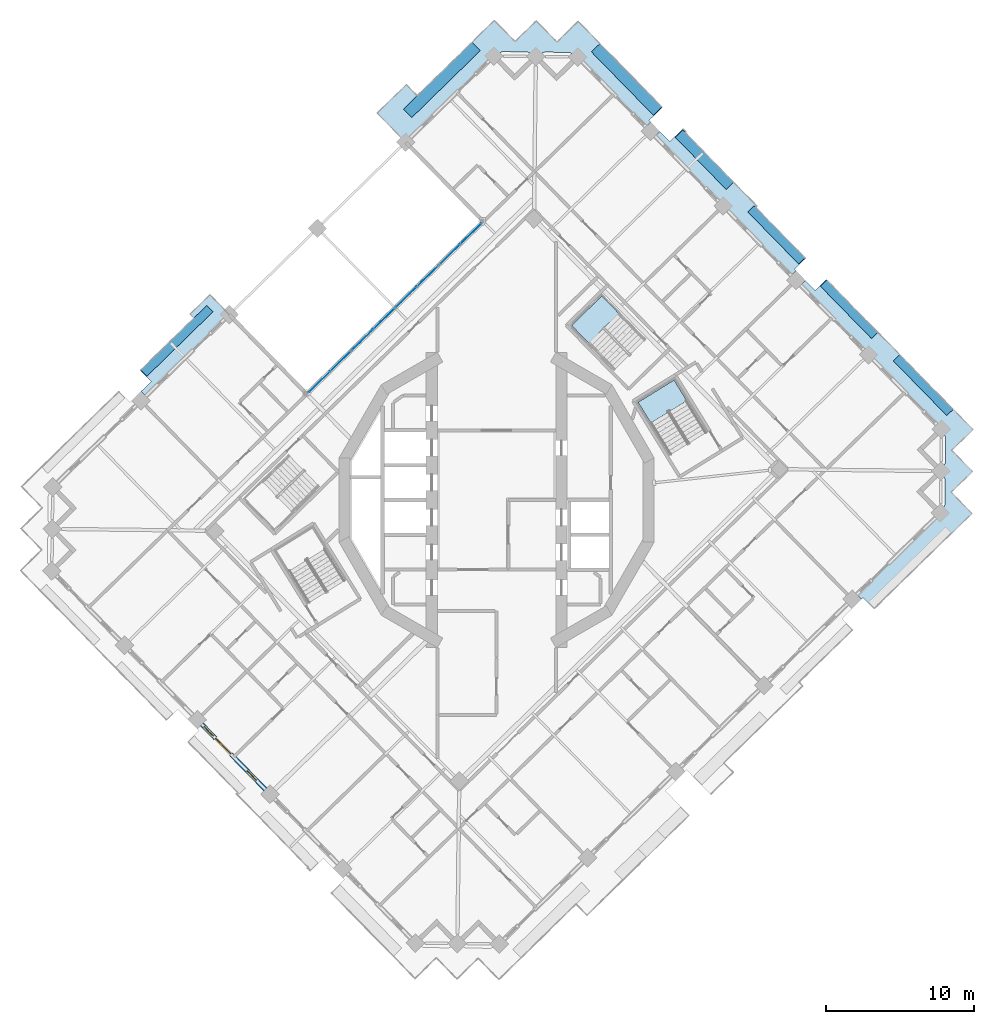
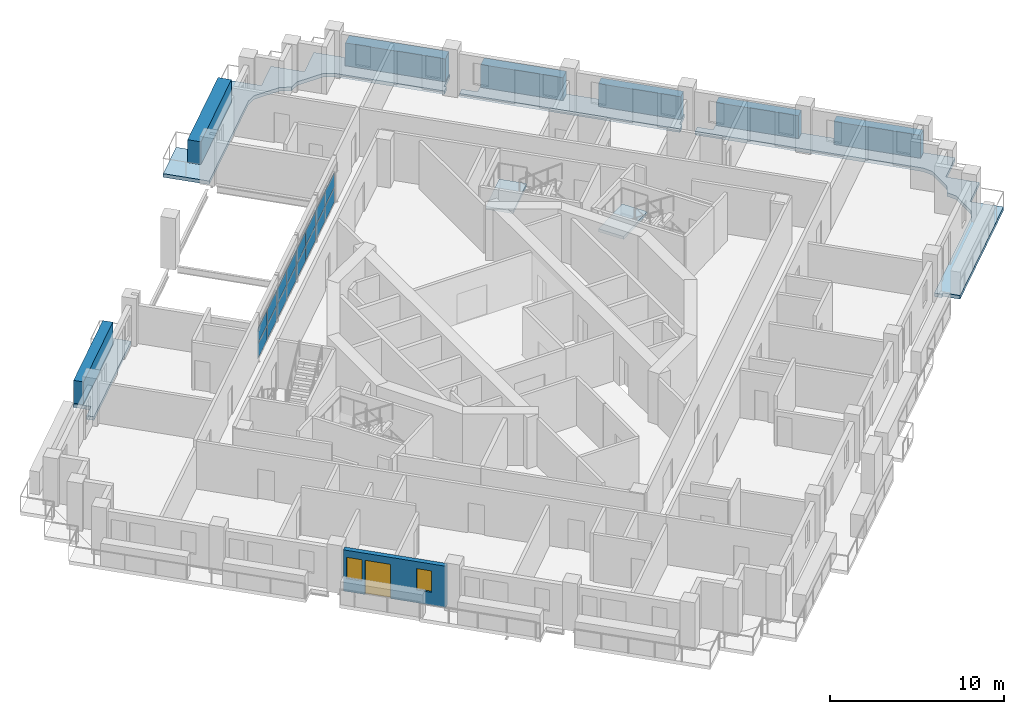
# One storey, part 4 of 19: 23 plates, 6 slabs, 2 windows, 1 door, 1 wall, 3 openings, 3 elements without a shape of their own.
"""IFC4 building model written with IfcOpenShell, lengths in metres."""

from ifc_helpers import new_model, si_unit, direction, frame, frame_2d, origin, origin_2d, place, context, subcontext, project, spatial, polyline, rectangle, outline, extrude, material, layer, layer_set, type_object, element, fill, aggregate, save


model = new_model("IFC4")

# Units and contexts
model_context = context("Model", 3, precision=1e-05, world=origin(), true_north=direction((0.0, 1.0)))
body_context = subcontext(model_context, "Body", "Model", "MODEL_VIEW")
ifc_project = project(units=[si_unit("LENGTHUNIT", "METRE"), si_unit("AREAUNIT", "SQUARE_METRE"), si_unit("VOLUMEUNIT", "CUBIC_METRE"), si_unit("PLANEANGLEUNIT", "RADIAN"), si_unit("MASSUNIT", "GRAM", prefix="KILO")], contexts=[model_context])

# Site, building, storey
site_placement = place(None, origin())
site = spatial("IfcSite", under=ifc_project, at=site_placement, CompositionType="ELEMENT")
building_placement = place(site_placement, origin())
building = spatial("IfcBuilding", under=site, at=building_placement, Name="Cantera Rosa Tower", CompositionType="ELEMENT")
storey_placement = place(building_placement, frame((0.0, 0.0, 223.39990234375)))
storey = spatial("IfcBuildingStorey", under=building, at=storey_placement, Name="L48", CompositionType="ELEMENT", Elevation=223.39990234375)

# Curtain wall, plates
ifc_material_1 = material(Name="Aluminium frame with clear glass", Category="aluminium")
curtain_wall_type = type_object("IfcCurtainWallType", Name="CW1 TERRACE POCKET GLAZING", PredefinedType="NOTDEFINED", material=ifc_material_1)
curtain_wall_placement = place(storey_placement, origin())
curtain_wall = element("IfcCurtainWall", 1, at=curtain_wall_placement, inside=storey, type_object=curtain_wall_type, Name="CW1 CW1", PredefinedType="NOTDEFINED")
ifc_material_2 = material(Name="Aluminium frame with clear glass", Category="aluminium")
ifc_layer_1 = layer(ifc_material_2, 0.028076171875)
ifc_layer_set_1 = layer_set([ifc_layer_1], Name="CW-PANEL POCKET")
plate_type_1 = type_object("IfcPlateType", Name="CW-PANEL POCKET", PredefinedType="CURTAIN_PANEL", material=ifc_layer_set_1)
plate_1_placement = place(storey_placement, frame((-1.724609375, 17.95751953125, 0.06005859375), z_axis=(0.0, 0.0, 1.0), x_axis=(-0.71528629107, -0.698831540364, 0.0)))
plate_1 = element("IfcPlate", 2, at=plate_1_placement, type_object=plate_type_1, Name="CW1 panel 1.1", PredefinedType="CURTAIN_PANEL", context=body_context, shape_type="SweptSolid", body=[
    extrude(rectangle(XDim=1.958740234375, YDim=0.028076171875, at=origin_2d()), origin(), (0.0, 0.0, 1.0), 1.012939453125),
])
plate_2_placement = place(storey_placement, frame((-1.724609375, 17.95751953125, 1.13330078125), z_axis=(0.0, 0.0, 1.0), x_axis=(-0.71528629107, -0.698831540364, 0.0)))
plate_2 = element("IfcPlate", 3, at=plate_2_placement, type_object=plate_type_1, Name="CW1 panel 1.2", PredefinedType="CURTAIN_PANEL", context=body_context, shape_type="SweptSolid", body=[
    extrude(rectangle(XDim=1.958740234375, YDim=0.028076171875, at=origin_2d()), origin(), (0.0, 0.0, 1.0), 1.012939453125),
])
plate_3_placement = place(storey_placement, frame((-3.179443359375, 16.5361328125, 0.06005859375), z_axis=(0.0, 0.0, 1.0), x_axis=(-0.71528629107, -0.698831540364, 0.0)))
plate_3 = element("IfcPlate", 4, at=plate_3_placement, type_object=plate_type_1, Name="CW1 panel 2.1", PredefinedType="CURTAIN_PANEL", context=body_context, shape_type="SweptSolid", body=[
    extrude(rectangle(XDim=1.98876953125, YDim=0.028076171875, at=origin_2d()), origin(), (0.0, 0.0, 1.0), 1.012939453125),
])
plate_4_placement = place(storey_placement, frame((-3.179443359375, 16.5361328125, 1.13330078125), z_axis=(0.0, 0.0, 1.0), x_axis=(-0.71528629107, -0.698831540364, 0.0)))
plate_4 = element("IfcPlate", 5, at=plate_4_placement, type_object=plate_type_1, Name="CW1 panel 2.2", PredefinedType="CURTAIN_PANEL", context=body_context, shape_type="SweptSolid", body=[
    extrude(rectangle(XDim=1.98876953125, YDim=0.028076171875, at=origin_2d()), origin(), (0.0, 0.0, 1.0), 1.012939453125),
])
plate_5_placement = place(storey_placement, frame((-4.644775390625, 15.1044921875, 0.06005859375), z_axis=(0.0, 0.0, 1.0), x_axis=(-0.71528629107, -0.698831540364, 0.0)))
plate_5 = element("IfcPlate", 6, at=plate_5_placement, type_object=plate_type_1, Name="CW1 panel 3.1", PredefinedType="CURTAIN_PANEL", context=body_context, shape_type="SweptSolid", body=[
    extrude(rectangle(XDim=1.98876953125, YDim=0.028076171875, at=origin_2d()), origin(), (0.0, 0.0, 1.0), 1.012939453125),
])
plate_6_placement = place(storey_placement, frame((-4.644775390625, 15.1044921875, 1.13330078125), z_axis=(0.0, 0.0, 1.0), x_axis=(-0.71528629107, -0.698831540364, 0.0)))
plate_6 = element("IfcPlate", 7, at=plate_6_placement, type_object=plate_type_1, Name="CW1 panel 3.2", PredefinedType="CURTAIN_PANEL", context=body_context, shape_type="SweptSolid", body=[
    extrude(rectangle(XDim=1.98876953125, YDim=0.028076171875, at=origin_2d()), origin(), (0.0, 0.0, 1.0), 1.012939453125),
])
plate_7_placement = place(storey_placement, frame((-6.1103515625, 13.6728515625, 0.06005859375), z_axis=(0.0, 0.0, 1.0), x_axis=(-0.71528629107, -0.698831540364, 0.0)))
plate_7 = element("IfcPlate", 8, at=plate_7_placement, type_object=plate_type_1, Name="CW1 panel 4.1", PredefinedType="CURTAIN_PANEL", context=body_context, shape_type="SweptSolid", body=[
    extrude(rectangle(XDim=1.98876953125, YDim=0.028076171875, at=origin_2d()), origin(), (0.0, 0.0, 1.0), 1.012939453125),
])
plate_8_placement = place(storey_placement, frame((-6.1103515625, 13.6728515625, 1.13330078125), z_axis=(0.0, 0.0, 1.0), x_axis=(-0.71528629107, -0.698831540364, 0.0)))
plate_8 = element("IfcPlate", 9, at=plate_8_placement, type_object=plate_type_1, Name="CW1 panel 4.2", PredefinedType="CURTAIN_PANEL", context=body_context, shape_type="SweptSolid", body=[
    extrude(rectangle(XDim=1.98876953125, YDim=0.028076171875, at=origin_2d()), origin(), (0.0, 0.0, 1.0), 1.012939453125),
])
plate_9_placement = place(storey_placement, frame((-7.57568359375, 12.240966796875, 0.06005859375), z_axis=(0.0, 0.0, 1.0), x_axis=(-0.71528629107, -0.698831540364, 0.0)))
plate_9 = element("IfcPlate", 10, at=plate_9_placement, type_object=plate_type_1, Name="CW1 panel 5.1", PredefinedType="CURTAIN_PANEL", context=body_context, shape_type="SweptSolid", body=[
    extrude(rectangle(XDim=1.98876953125, YDim=0.028076171875, at=origin_2d()), origin(), (0.0, 0.0, 1.0), 1.012939453125),
])
plate_10_placement = place(storey_placement, frame((-7.57568359375, 12.240966796875, 1.13330078125), z_axis=(0.0, 0.0, 1.0), x_axis=(-0.71528629107, -0.698831540364, 0.0)))
plate_10 = element("IfcPlate", 11, at=plate_10_placement, type_object=plate_type_1, Name="CW1 panel 5.2", PredefinedType="CURTAIN_PANEL", context=body_context, shape_type="SweptSolid", body=[
    extrude(rectangle(XDim=1.98876953125, YDim=0.028076171875, at=origin_2d()), origin(), (0.0, 0.0, 1.0), 1.012939453125),
])
plate_11_placement = place(storey_placement, frame((-9.041259765625, 10.809326171875, 0.06005859375), z_axis=(0.0, 0.0, 1.0), x_axis=(-0.71528629107, -0.698831540364, 0.0)))
plate_11 = element("IfcPlate", 12, at=plate_11_placement, type_object=plate_type_1, Name="CW1 panel 6.1", PredefinedType="CURTAIN_PANEL", context=body_context, shape_type="SweptSolid", body=[
    extrude(rectangle(XDim=1.98876953125, YDim=0.028076171875, at=origin_2d()), origin(), (0.0, 0.0, 1.0), 1.012939453125),
])
plate_12_placement = place(storey_placement, frame((-9.041259765625, 10.809326171875, 1.13330078125), z_axis=(0.0, 0.0, 1.0), x_axis=(-0.71528629107, -0.698831540364, 0.0)))
plate_12 = element("IfcPlate", 13, at=plate_12_placement, type_object=plate_type_1, Name="CW1 panel 6.2", PredefinedType="CURTAIN_PANEL", context=body_context, shape_type="SweptSolid", body=[
    extrude(rectangle(XDim=1.98876953125, YDim=0.028076171875, at=origin_2d()), origin(), (0.0, 0.0, 1.0), 1.012939453125),
])
plate_13_placement = place(storey_placement, frame((-10.506591796875, 9.377685546875, 0.06005859375), z_axis=(0.0, 0.0, 1.0), x_axis=(-0.71528629107, -0.698831540364, 0.0)))
plate_13 = element("IfcPlate", 14, at=plate_13_placement, type_object=plate_type_1, Name="CW1 panel 7.1", PredefinedType="CURTAIN_PANEL", context=body_context, shape_type="SweptSolid", body=[
    extrude(rectangle(XDim=1.98876953125, YDim=0.028076171875, at=origin_2d()), origin(), (0.0, 0.0, 1.0), 1.012939453125),
])
plate_14_placement = place(storey_placement, frame((-10.506591796875, 9.377685546875, 1.13330078125), z_axis=(0.0, 0.0, 1.0), x_axis=(-0.71528629107, -0.698831540364, 0.0)))
plate_14 = element("IfcPlate", 15, at=plate_14_placement, type_object=plate_type_1, Name="CW1 panel 7.2", PredefinedType="CURTAIN_PANEL", context=body_context, shape_type="SweptSolid", body=[
    extrude(rectangle(XDim=1.98876953125, YDim=0.028076171875, at=origin_2d()), origin(), (0.0, 0.0, 1.0), 1.012939453125),
])
plate_15_placement = place(storey_placement, frame((-11.96142578125, 7.956298828125, 0.06005859375), z_axis=(0.0, 0.0, 1.0), x_axis=(-0.71528629107, -0.698831540364, 0.0)))
plate_15 = element("IfcPlate", 16, at=plate_15_placement, type_object=plate_type_1, Name="CW1 panel 8.1", PredefinedType="CURTAIN_PANEL", context=body_context, shape_type="SweptSolid", body=[
    extrude(rectangle(XDim=1.958740234375, YDim=0.028076171875, at=origin_2d()), origin(), (0.0, 0.0, 1.0), 1.012939453125),
])
plate_16_placement = place(storey_placement, frame((-11.96142578125, 7.956298828125, 1.13330078125), z_axis=(0.0, 0.0, 1.0), x_axis=(-0.71528629107, -0.698831540364, 0.0)))
plate_16 = element("IfcPlate", 17, at=plate_16_placement, type_object=plate_type_1, Name="CW1 panel 8.2", PredefinedType="CURTAIN_PANEL", context=body_context, shape_type="SweptSolid", body=[
    extrude(rectangle(XDim=1.958740234375, YDim=0.028076171875, at=origin_2d()), origin(), (0.0, 0.0, 1.0), 1.012939453125),
])
aggregate(curtain_wall, [plate_1, plate_2, plate_3, plate_4, plate_5, plate_6, plate_7, plate_8, plate_9, plate_10, plate_11, plate_12, plate_13, plate_14, plate_15, plate_16])

# Slabs
ifc_material_3 = material(Name="Concrete C35/45", Category="concrete")
ifc_layer_2 = layer(ifc_material_3, 0.25)
ifc_layer_set_2 = layer_set([ifc_layer_2], Name="LOGGIA SLAB 250 C35/45")
slab_type_1 = type_object("IfcSlabType", Name="LOGGIA SLAB 250 C35/45", PredefinedType="FLOOR", material=ifc_layer_set_2)
slab_1_placement = place(storey_placement, frame((0.0, 0.0, -0.25)))
element("IfcSlab", 18, at=slab_1_placement, inside=storey, type_object=slab_type_1, Name="LOGGIA SLAB L48 2", PredefinedType="FLOOR", context=body_context, shape_type="SweptSolid", body=[
    extrude(outline(polyline([(-20.669189453125, 12.537841796875), (-19.3369140625, 13.839599609375), (-18.035400390625, 12.50732421875), (-23.664794921875, 7.007568359375), (-23.979248046875, 7.329345703125), (-23.2998046875, 7.9931640625), (-24.033447265625, 8.744384765625), (-23.9619140625, 8.814208984375), (-20.416015625, 12.278564453125), (-20.669189453125, 12.537841796875)])), origin(), (0.0, 0.0, 1.0), 0.25),
])
slab_2_placement = place(storey_placement, frame((0.0, 0.0, -0.25)))
element("IfcSlab", 19, at=slab_2_placement, inside=storey, type_object=slab_type_1, Name="LOGGIA SLAB L48 4", PredefinedType="FLOOR", context=body_context, shape_type="SweptSolid", body=[
    extrude(outline(polyline([(-1.369873046875, 31.166015625), (-0.15380859375, 32.35400390625), (1.0341796875, 31.13818359375), (1.243896484375, 30.923583984375), (1.45849609375, 31.13330078125), (2.67431640625, 32.3212890625), (3.8623046875, 31.105224609375), (4.072021484375, 30.890625), (4.28662109375, 31.100341796875), (5.502685546875, 32.288330078125), (6.690673828125, 31.072265625), (11.177001953125, 26.480224609375), (10.282958984375, 25.606689453125), (10.3876953125, 25.499267578125), (10.06591796875, 25.184814453125), (5.474609375, 29.88427734375), (4.982666015625, 30.154541015625), (4.956298828125, 30.16748046875), (4.9287109375, 30.177734375), (4.900146484375, 30.185302734375), (4.87109375, 30.18994140625), (4.841796875, 30.191650390625), (3.2861328125, 30.209716796875), (3.2568359375, 30.208740234375), (3.2275390625, 30.20458984375), (3.198974609375, 30.197998046875), (3.171142578125, 30.188232421875), (3.144287109375, 30.176025390625), (2.646484375, 29.917236328125), (2.154541015625, 30.1875), (2.1279296875, 30.200439453125), (2.100341796875, 30.210693359375), (2.072021484375, 30.218017578125), (2.04296875, 30.222900390625), (2.013427734375, 30.224609375), (0.4580078125, 30.24267578125), (0.4287109375, 30.24169921875), (0.3994140625, 30.237548828125), (0.37060546875, 30.230712890625), (0.343017578125, 30.22119140625), (0.316162109375, 30.208984375), (-0.181884765625, 29.9501953125), (-0.883056640625, 29.26513671875), (-6.133056640625, 24.1357421875), (-8.052490234375, 26.100341796875), (-6.087890625, 28.019775390625), (-5.3564453125, 27.271240234375), (-1.369873046875, 31.166015625)])), origin(), (0.0, 0.0, 1.0), 0.25),
])
slab_3_placement = place(storey_placement, frame((0.0, 0.0, -0.25)))
element("IfcSlab", 20, at=slab_3_placement, inside=storey, type_object=slab_type_1, Name="LOGGIA SLAB L48 6", PredefinedType="FLOOR", context=body_context, shape_type="SweptSolid", body=[
    extrude(outline(polyline([(17.57177734375, 19.815185546875), (17.488525390625, 19.73388671875), (20.216796875, 16.94140625), (20.845703125, 16.2978515625), (20.094482421875, 15.56396484375), (20.199462890625, 15.456787109375), (19.87744140625, 15.14208984375), (10.69482421875, 24.541015625), (11.016845703125, 24.855712890625), (11.6806640625, 24.176025390625), (12.57470703125, 25.049560546875), (12.784423828125, 24.8349609375), (12.724609375, 24.776611328125), (17.57177734375, 19.815185546875)])), origin(), (0.0, 0.0, 1.0), 0.25),
])
slab_4_placement = place(storey_placement, frame((0.0, 0.0, -0.25)))
element("IfcSlab", 21, at=slab_4_placement, inside=storey, type_object=slab_type_1, Name="LOGGIA SLAB L48 8", PredefinedType="FLOOR", context=body_context, shape_type="SweptSolid", body=[
    extrude(outline(polyline([(27.218994140625, 9.7744140625), (31.076416015625, 5.825927734375), (32.124755859375, 4.753173828125), (31.0517578125, 3.704833984375), (30.694091796875, 3.35546875), (31.043701171875, 2.997802734375), (32.091796875, 1.9248046875), (31.018798828125, 0.876708984375), (30.661376953125, 0.527099609375), (31.0107421875, 0.16943359375), (32.05908203125, -0.9033203125), (30.986083984375, -1.95166015625), (26.10791015625, -6.7177734375), (25.464111328125, -7.3466796875), (24.730224609375, -6.595703125), (24.622802734375, -6.700439453125), (24.30859375, -6.37841796875), (29.937744140625, -0.878662109375), (30.2080078125, -0.386962890625), (30.220947265625, -0.3603515625), (30.231201171875, -0.332763671875), (30.23876953125, -0.30419921875), (30.243408203125, -0.275146484375), (30.2451171875, -0.245849609375), (30.26318359375, 1.309814453125), (30.26220703125, 1.339111328125), (30.25830078125, 1.368408203125), (30.25146484375, 1.39697265625), (30.24169921875, 1.4248046875), (30.2294921875, 1.451416015625), (29.970703125, 1.949462890625), (30.240966796875, 2.44140625), (30.25390625, 2.4677734375), (30.26416015625, 2.495361328125), (30.271484375, 2.52392578125), (30.2763671875, 2.552978515625), (30.278076171875, 2.58251953125), (30.296142578125, 4.137939453125), (30.295166015625, 4.167236328125), (30.291015625, 4.196533203125), (30.2841796875, 4.22509765625), (30.274658203125, 4.2529296875), (30.262451171875, 4.27978515625), (30.003662109375, 4.777587890625), (20.506591796875, 14.49853515625), (20.828369140625, 14.81298828125), (21.4921875, 14.13330078125), (22.243408203125, 14.8671875), (22.313232421875, 14.795654296875), (25.12255859375, 11.920166015625), (27.218994140625, 9.7744140625)])), origin(), (0.0, 0.0, 1.0), 0.25),
])

# Plates
ifc_material_4 = material(Name="Cantera stone planter with soil", Category="masonry")
plate_type_2 = type_object("IfcPlateType", Name="PLANTER 600", PredefinedType="USERDEFINED", material=ifc_material_4)
plate_17_placement = place(storey_placement, frame((28.77587890625, 7.75146484375, 0.0), z_axis=(0.0, 0.0, 1.0), x_axis=(-0.698831540364, 0.71528629107, 0.0)))
element("IfcPlate", 22, at=plate_17_placement, inside=storey, type_object=plate_type_2, Name="PLANTER L48-01", ObjectType="PLANTER", PredefinedType="USERDEFINED", context=body_context, shape_type="SweptSolid", body=[
    extrude(rectangle(XDim=5.169921875, YDim=0.60009765625, at=origin_2d()), origin(), (0.0, 0.0, 1.0), 1.60009765625),
])
for number, where, z_axis, x_axis, name in (
    (23, (23.78271484375, 12.8623046875, 0.0), (0.0, 0.0, 1.0), (-0.698831540364, 0.71528629107, 0.0), "PLANTER L48-02"),
    (24, (18.876953125, 17.883544921875, 0.0), (0.0, 0.0, 1.0), (-0.698831540364, 0.71528629107, 0.0), "PLANTER L48-03"),
):
    element("IfcPlate", number, at=place(storey_placement, frame(where, z_axis=z_axis, x_axis=x_axis)), inside=storey, type_object=plate_type_2, Name=name, ObjectType="PLANTER", PredefinedType="USERDEFINED", context=body_context, shape_type="SweptSolid", body=[
        extrude(rectangle(XDim=4.919921875, YDim=0.60009765625, at=origin_2d()), origin(), (0.0, 0.0, 1.0), 1.60009765625),
    ])
plate_18_placement = place(storey_placement, frame((-21.5634765625, 10.738037109375, 0.0), z_axis=(0.0, 0.0, 1.0), x_axis=(-0.71528629107, -0.698831540364, 0.0)))
element("IfcPlate", 25, at=plate_18_placement, inside=storey, type_object=plate_type_2, Name="PLANTER L48-09", ObjectType="PLANTER", PredefinedType="USERDEFINED", context=body_context, shape_type="SweptSolid", body=[
    extrude(rectangle(XDim=6.219970703125, YDim=0.60009765625, at=origin_2d()), origin(), (0.0, 0.0, 1.0), 1.60009765625),
])
ifc_material_5 = material(Name="Cantera stone planter with soil", Category="masonry")
plate_type_3 = type_object("IfcPlateType", Name="PLANTER 700", PredefinedType="USERDEFINED", material=ifc_material_5)
plate_19_placement = place(storey_placement, frame((14.0185546875, 22.951171875, 0.0), z_axis=(0.0, 0.0, 1.0), x_axis=(-0.698831540364, 0.71528629107, 0.0)))
element("IfcPlate", 26, at=plate_19_placement, inside=storey, type_object=plate_type_3, Name="PLANTER L48-04", ObjectType="PLANTER", PredefinedType="USERDEFINED", context=body_context, shape_type="SweptSolid", body=[
    extrude(rectangle(XDim=4.919921875, YDim=0.699951171875, at=origin_2d()), origin(), (0.0, 0.0, 1.0), 1.60009765625),
])
ifc_material_6 = material(Name="Cantera stone planter with soil", Category="masonry")
plate_type_4 = type_object("IfcPlateType", Name="PLANTER 800", PredefinedType="USERDEFINED", material=ifc_material_6)
plate_20_placement = place(storey_placement, frame((8.77001953125, 28.37158203125, 0.0), z_axis=(0.0, 0.0, 1.0), x_axis=(-0.698831540364, 0.71528629107, 0.0)))
element("IfcPlate", 27, at=plate_20_placement, inside=storey, type_object=plate_type_4, Name="PLANTER L48-05", ObjectType="PLANTER", PredefinedType="USERDEFINED", context=body_context, shape_type="SweptSolid", body=[
    extrude(rectangle(XDim=5.969970703125, YDim=0.800048828125, at=origin_2d()), origin(), (0.0, 0.0, 1.0), 1.60009765625),
])
plate_21_placement = place(storey_placement, frame((-3.6904296875, 28.33984375, 0.0), z_axis=(0.0, 0.0, 1.0), x_axis=(-0.71528629107, -0.698831540364, 0.0)))
element("IfcPlate", 28, at=plate_21_placement, inside=storey, type_object=plate_type_4, Name="PLANTER L48-06", ObjectType="PLANTER", PredefinedType="USERDEFINED", context=body_context, shape_type="SweptSolid", body=[
    extrude(rectangle(XDim=6.469970703125, YDim=0.800048828125, at=origin_2d()), origin(), (0.0, 0.0, 1.0), 1.60009765625),
])

# Stair, slab
ifc_material_7 = material(Name="Concrete C35/45", Category="concrete")
stair_type = type_object("IfcStairType", Name="EXIT STAIR 1350 DOGLEG", PredefinedType="HALF_TURN_STAIR", material=ifc_material_7)
stair_1_placement = place(storey_placement, origin())
stair_1 = element("IfcStair", 29, at=stair_1_placement, inside=storey, type_object=stair_type, Name="L48 ST-41", PredefinedType="HALF_TURN_STAIR")
ifc_material_8 = material(Name="Concrete C35/45", Category="concrete")
ifc_layer_3 = layer(ifc_material_8, 0.199951171875)
ifc_layer_set_3 = layer_set([ifc_layer_3], Name="STAIR LANDING 200")
slab_type_2 = type_object("IfcSlabType", Name="STAIR LANDING 200", PredefinedType="LANDING", material=ifc_layer_set_3)
slab_5_placement = place(storey_placement, frame((0.0, 0.0, 1.60009765625)))
slab_5 = element("IfcSlab", 30, at=slab_5_placement, type_object=slab_type_2, Name="ST-41 landing 1", PredefinedType="LANDING", context=body_context, shape_type="SweptSolid", body=[
    extrude(outline(polyline([(12.8310546875, 6.691162109375), (11.96923828125, 8.088623046875), (9.54345703125, 6.592529296875), (10.405517578125, 5.19482421875), (12.8310546875, 6.691162109375)])), origin(), (0.0, 0.0, 1.0), 0.199951171875),
])
aggregate(stair_1, [slab_5])

stair_2_placement = place(storey_placement, origin())
stair_2 = element("IfcStair", 31, at=stair_2_placement, inside=storey, type_object=stair_type, Name="L48 ST-42", PredefinedType="HALF_TURN_STAIR")
slab_6_placement = place(storey_placement, frame((0.0, 0.0, 1.60009765625)))
slab_6 = element("IfcSlab", 32, at=slab_6_placement, type_object=slab_type_2, Name="ST-42 landing 1", PredefinedType="LANDING", context=body_context, shape_type="SweptSolid", body=[
    extrude(outline(polyline([(8.244873046875, 12.58837890625), (7.097412109375, 13.762939453125), (5.058837890625, 11.771240234375), (6.206298828125, 10.5966796875), (8.244873046875, 12.58837890625)])), origin(), (0.0, 0.0, 1.0), 0.199951171875),
])
aggregate(stair_2, [slab_6])

# Wall, openings, windows, door
ifc_material_9 = material(Name="Hollow clay masonry with cantera stone cladding", Category="masonry")
ifc_layer_4 = layer(ifc_material_9, 0.300048828125)
ifc_layer_set_4 = layer_set([ifc_layer_4], Name="EW-LOGGIA 300 H2890")
wall_type = type_object("IfcWallType", Name="EW-LOGGIA 300 H2890", PredefinedType="SOLIDWALL", material=ifc_layer_set_4)
wall_placement = place(storey_placement, frame((-19.87744140625, -15.142333984375, 0.0), z_axis=(0.0, 0.0, 1.0), x_axis=(0.698841120217, -0.71527693147, 0.0)))
wall = element("IfcWall", 33, at=wall_placement, inside=storey, type_object=wall_type, Name="EN-L48-W16", PredefinedType="SOLIDWALL", context=body_context, shape_type="SweptSolid", body=[
    extrude(rectangle(XDim=6.119873046875, YDim=0.300048828125, at=frame_2d((3.06005859375, 0.0))), origin(), (0.0, 0.0, 1.0), 2.89013671875),
])
opening_1_placement = place(wall_placement, frame((0.199951171875, 0.0, 0.89990234375)))
opening_1 = element("IfcOpeningElement", 34, at=opening_1_placement, cuts=wall, Name="Opening L48-W28", PredefinedType="OPENING", context=body_context, shape_type="SweptSolid", body=[
    extrude(rectangle(XDim=0.89990234375, YDim=1.5, at=frame_2d((0.449951171875, 0.75))), frame((0.0, 0.159912109375, 0.0), z_axis=(0.0, -1.0, 0.0), x_axis=(1.0, 0.0, 0.0)), (0.0, 0.0, 1.0), 0.320068359375),
])
opening_2_placement = place(wall_placement, frame((1.300048828125, 0.0, 0.0)))
opening_2 = element("IfcOpeningElement", 35, at=opening_2_placement, cuts=wall, Name="Opening L48-TD29", PredefinedType="OPENING", context=body_context, shape_type="SweptSolid", body=[
    extrude(rectangle(XDim=1.5, YDim=2.39990234375, at=frame_2d((0.75, 1.199951171875))), frame((0.0, 0.159912109375, 0.0), z_axis=(0.0, -1.0, 0.0), x_axis=(1.0, 0.0, 0.0)), (0.0, 0.0, 1.0), 0.320068359375),
])
opening_3_placement = place(wall_placement, frame((4.364990234375, 0.0, 0.89990234375)))
opening_3 = element("IfcOpeningElement", 36, at=opening_3_placement, cuts=wall, Name="Opening L48-W30", PredefinedType="OPENING", context=body_context, shape_type="SweptSolid", body=[
    extrude(rectangle(XDim=0.89990234375, YDim=1.5, at=frame_2d((0.449951171875, 0.75))), frame((0.0, 0.159912109375, 0.0), z_axis=(0.0, -1.0, 0.0), x_axis=(1.0, 0.0, 0.0)), (0.0, 0.0, 1.0), 0.320068359375),
])
ifc_material_10 = material(Name="Aluminium frame with clear glass", Category="aluminium")
window_type = type_object("IfcWindowType", Name="Residential window 900x1500", PartitioningType="SINGLE_PANEL", PredefinedType="WINDOW", material=ifc_material_10)
window_1_placement = place(opening_1_placement, origin())
window_1 = element("IfcWindow", 37, at=window_1_placement, inside=storey, type_object=window_type, Name="WINDOW L48-W28", OverallHeight=1.5, OverallWidth=0.89990234375, PartitioningType="SINGLE_PANEL", PredefinedType="WINDOW", context=body_context, shape_type="SweptSolid", body=[
    extrude(rectangle(XDim=0.89990234375, YDim=1.5, at=frame_2d((0.449951171875, 0.75))), frame((0.0, 0.030029296875, 0.0), z_axis=(0.0, -1.0, 0.0), x_axis=(1.0, 0.0, 0.0)), (0.0, 0.0, 1.0), 0.06005859375),
])
fill(opening_1, window_1)
window_2_placement = place(opening_3_placement, origin())
window_2 = element("IfcWindow", 38, at=window_2_placement, inside=storey, type_object=window_type, Name="WINDOW L48-W30", OverallHeight=1.5, OverallWidth=0.89990234375, PartitioningType="SINGLE_PANEL", PredefinedType="WINDOW", context=body_context, shape_type="SweptSolid", body=[
    extrude(rectangle(XDim=0.89990234375, YDim=1.5, at=frame_2d((0.449951171875, 0.75))), frame((0.0, 0.030029296875, 0.0), z_axis=(0.0, -1.0, 0.0), x_axis=(1.0, 0.0, 0.0)), (0.0, 0.0, 1.0), 0.06005859375),
])
fill(opening_3, window_2)
ifc_material_11 = material(Name="Aluminium frame with clear glass", Category="aluminium")
door_type = type_object("IfcDoorType", Name="TD-R 1500x2400", OperationType="NOTDEFINED", PredefinedType="DOOR", material=ifc_material_11)
door_placement = place(opening_2_placement, origin())
door = element("IfcDoor", 39, at=door_placement, inside=storey, type_object=door_type, Name="LOGGIA DOOR L48-TD29", OperationType="SLIDING_TO_LEFT", OverallHeight=2.39990234375, OverallWidth=1.5, PredefinedType="DOOR", context=body_context, shape_type="SweptSolid", body=[
    extrude(rectangle(XDim=1.5, YDim=2.39990234375, at=frame_2d((0.75, 1.199951171875))), frame((0.0, 0.02490234375, 0.0), z_axis=(0.0, -1.0, 0.0), x_axis=(1.0, 0.0, 0.0)), (0.0, 0.0, 1.0), 0.050048828125),
])
fill(opening_2, door)

save(model, "model.ifc")
